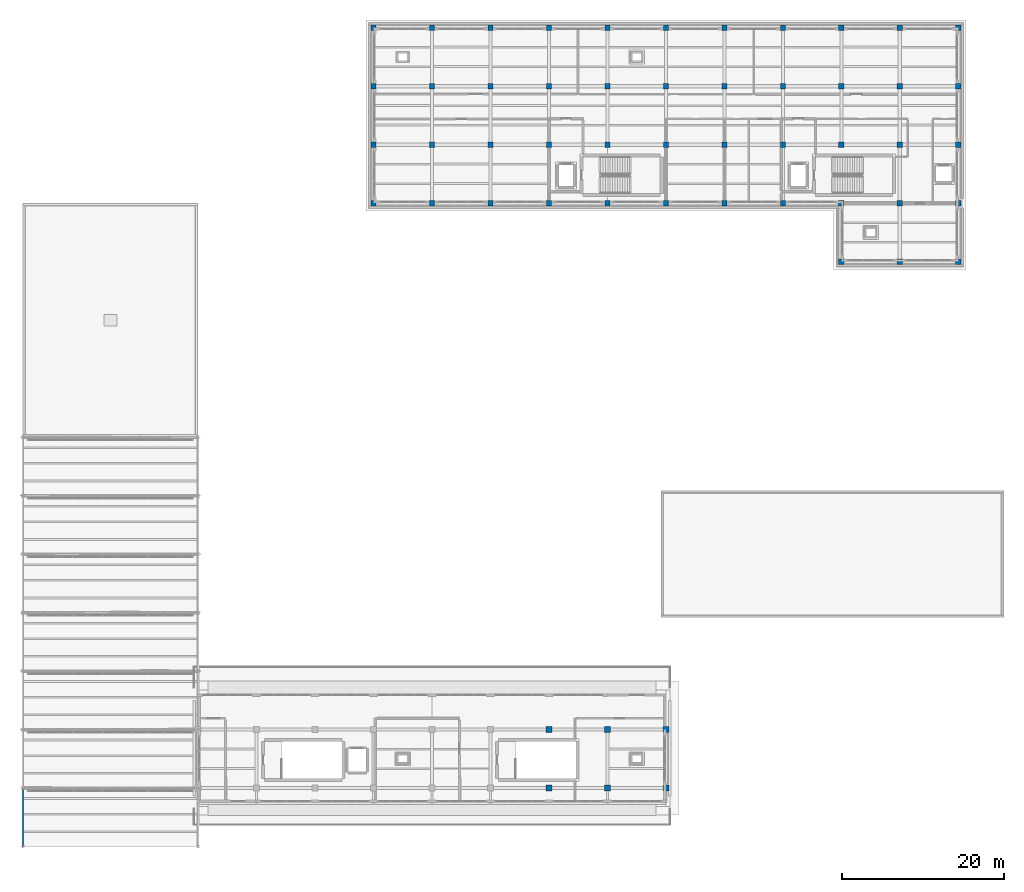
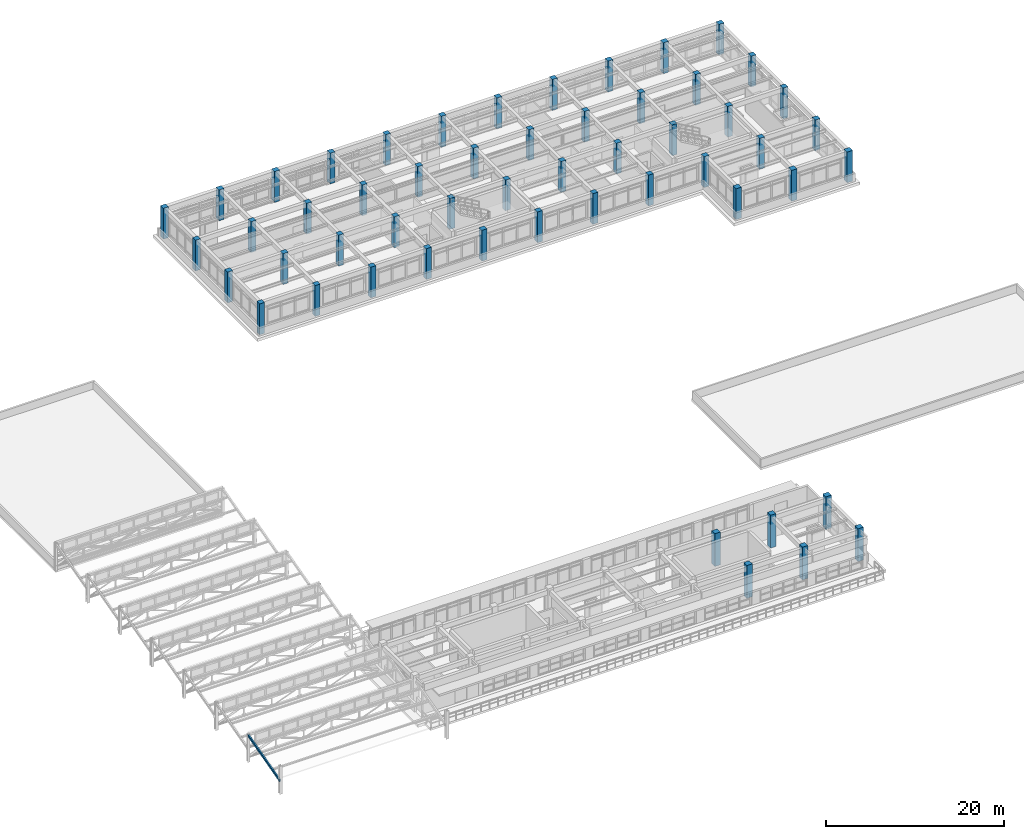
# One storey, part 4 of 55: 53 columns, 1 beam.
"""IFC4 building model written with IfcOpenShell, lengths in metres."""

from ifc_helpers import new_model, si_unit, direction, frame, origin, origin_2d, place, context, subcontext, project, spatial, rectangle, hollow_rectangle, extrude, material, material_profile, profile_set, type_object, element, save


model = new_model("IFC4")

# Units and contexts
model_context = context("Model", 3, precision=1e-05, world=origin(), true_north=direction((0.0, 1.0)))
body_context = subcontext(model_context, "Body", "Model", "MODEL_VIEW")
ifc_project = project(units=[si_unit("LENGTHUNIT", "METRE"), si_unit("AREAUNIT", "SQUARE_METRE"), si_unit("VOLUMEUNIT", "CUBIC_METRE"), si_unit("PLANEANGLEUNIT", "RADIAN"), si_unit("MASSUNIT", "GRAM", prefix="KILO")], contexts=[model_context])

# Site, building, storey
site_placement = place(None, origin())
site = spatial("IfcSite", under=ifc_project, at=site_placement, CompositionType="ELEMENT")
building_placement = place(site_placement, origin())
building = spatial("IfcBuilding", under=site, at=building_placement, Name="Solenvale Faculty of Natural Sciences", CompositionType="ELEMENT")
storey_placement = place(building_placement, frame((0.0, 0.0, 22.5)))
storey = spatial("IfcBuildingStorey", under=building, at=storey_placement, Name="L05", CompositionType="ELEMENT", Elevation=22.5)

# Columns
ifc_material_1 = material(Name="Concrete 40 MPa", Category="concrete")
ifc_material_profile_1 = material_profile(ifc_material_1, rectangle(XDim=0.64990234375, YDim=0.64990234375, at=origin_2d()), Name="RC-COL-650x650")
ifc_profile_set_1 = profile_set([ifc_material_profile_1], Name="Concrete 40 MPa")
column_type_1 = type_object("IfcColumnType", Name="COL-RC-650", PredefinedType="COLUMN", material=ifc_profile_set_1)
for number, where, z_axis, x_axis, name in (
    (1, (79.199951171875, 93.60009765625, 0.0), (0.0, 0.0, 1.0), (1.0, 0.0, 0.0), "L05 Column (79.2, 93.6)"),
    (2, (79.199951171875, 100.800048828125, 0.0), (0.0, 0.0, 1.0), (1.0, 0.0, 0.0), "L05 Column (79.2, 100.8)"),
    (3, (79.199951171875, 108.0, 0.0), (0.0, 0.0, 1.0), (1.0, 0.0, 0.0), "L05 Column (79.2, 108.0)"),
    (4, (79.199951171875, 115.199951171875, 0.0), (0.0, 0.0, 1.0), (1.0, 0.0, 0.0), "L05 Column (79.2, 115.2)"),
    (5, (86.39990234375, 93.60009765625, 0.0), (0.0, 0.0, 1.0), (1.0, 0.0, 0.0), "L05 Column (86.4, 93.6)"),
    (6, (86.39990234375, 100.800048828125, 0.0), (0.0, 0.0, 1.0), (1.0, 0.0, 0.0), "L05 Column (86.4, 100.8)"),
    (7, (86.39990234375, 108.0, 0.0), (0.0, 0.0, 1.0), (1.0, 0.0, 0.0), "L05 Column (86.4, 108.0)"),
    (8, (86.39990234375, 115.199951171875, 0.0), (0.0, 0.0, 1.0), (1.0, 0.0, 0.0), "L05 Column (86.4, 115.2)"),
    (9, (93.60009765625, 93.60009765625, 0.0), (0.0, 0.0, 1.0), (1.0, 0.0, 0.0), "L05 Column (93.6, 93.6)"),
    (10, (93.60009765625, 100.800048828125, 0.0), (0.0, 0.0, 1.0), (1.0, 0.0, 0.0), "L05 Column (93.6, 100.8)"),
    (11, (93.60009765625, 108.0, 0.0), (0.0, 0.0, 1.0), (1.0, 0.0, 0.0), "L05 Column (93.6, 108.0)"),
    (12, (93.60009765625, 115.199951171875, 0.0), (0.0, 0.0, 1.0), (1.0, 0.0, 0.0), "L05 Column (93.6, 115.2)"),
    (13, (100.800048828125, 93.60009765625, 0.0), (0.0, 0.0, 1.0), (1.0, 0.0, 0.0), "L05 Column (100.8, 93.6)"),
    (14, (100.800048828125, 100.800048828125, 0.0), (0.0, 0.0, 1.0), (1.0, 0.0, 0.0), "L05 Column (100.8, 100.8)"),
    (15, (100.800048828125, 108.0, 0.0), (0.0, 0.0, 1.0), (1.0, 0.0, 0.0), "L05 Column (100.8, 108.0)"),
    (16, (100.800048828125, 115.199951171875, 0.0), (0.0, 0.0, 1.0), (1.0, 0.0, 0.0), "L05 Column (100.8, 115.2)"),
    (17, (108.0, 93.60009765625, 0.0), (0.0, 0.0, 1.0), (1.0, 0.0, 0.0), "L05 Column (108.0, 93.6)"),
    (18, (108.0, 100.800048828125, 0.0), (0.0, 0.0, 1.0), (1.0, 0.0, 0.0), "L05 Column (108.0, 100.8)"),
    (19, (108.0, 108.0, 0.0), (0.0, 0.0, 1.0), (1.0, 0.0, 0.0), "L05 Column (108.0, 108.0)"),
    (20, (108.0, 115.199951171875, 0.0), (0.0, 0.0, 1.0), (1.0, 0.0, 0.0), "L05 Column (108.0, 115.2)"),
    (21, (115.199951171875, 93.60009765625, 0.0), (0.0, 0.0, 1.0), (1.0, 0.0, 0.0), "L05 Column (115.2, 93.6)"),
    (22, (115.199951171875, 100.800048828125, 0.0), (0.0, 0.0, 1.0), (1.0, 0.0, 0.0), "L05 Column (115.2, 100.8)"),
    (23, (115.199951171875, 108.0, 0.0), (0.0, 0.0, 1.0), (1.0, 0.0, 0.0), "L05 Column (115.2, 108.0)"),
    (24, (115.199951171875, 115.199951171875, 0.0), (0.0, 0.0, 1.0), (1.0, 0.0, 0.0), "L05 Column (115.2, 115.2)"),
    (25, (122.39990234375, 93.60009765625, 0.0), (0.0, 0.0, 1.0), (1.0, 0.0, 0.0), "L05 Column (122.4, 93.6)"),
    (26, (122.39990234375, 100.800048828125, 0.0), (0.0, 0.0, 1.0), (1.0, 0.0, 0.0), "L05 Column (122.4, 100.8)"),
    (27, (122.39990234375, 108.0, 0.0), (0.0, 0.0, 1.0), (1.0, 0.0, 0.0), "L05 Column (122.4, 108.0)"),
    (28, (122.39990234375, 115.199951171875, 0.0), (0.0, 0.0, 1.0), (1.0, 0.0, 0.0), "L05 Column (122.4, 115.2)"),
    (29, (129.60009765625, 93.60009765625, 0.0), (0.0, 0.0, 1.0), (1.0, 0.0, 0.0), "L05 Column (129.6, 93.6)"),
    (30, (129.60009765625, 100.800048828125, 0.0), (0.0, 0.0, 1.0), (1.0, 0.0, 0.0), "L05 Column (129.6, 100.8)"),
    (31, (129.60009765625, 108.0, 0.0), (0.0, 0.0, 1.0), (1.0, 0.0, 0.0), "L05 Column (129.6, 108.0)"),
    (32, (129.60009765625, 115.199951171875, 0.0), (0.0, 0.0, 1.0), (1.0, 0.0, 0.0), "L05 Column (129.6, 115.2)"),
    (33, (136.800048828125, 93.60009765625, 0.0), (0.0, 0.0, 1.0), (1.0, 0.0, 0.0), "L05 Column (136.8, 93.6)"),
    (34, (136.800048828125, 100.800048828125, 0.0), (0.0, 0.0, 1.0), (1.0, 0.0, 0.0), "L05 Column (136.8, 100.8)"),
    (35, (136.800048828125, 108.0, 0.0), (0.0, 0.0, 1.0), (1.0, 0.0, 0.0), "L05 Column (136.8, 108.0)"),
    (36, (136.800048828125, 115.199951171875, 0.0), (0.0, 0.0, 1.0), (1.0, 0.0, 0.0), "L05 Column (136.8, 115.2)"),
    (37, (144.0, 93.60009765625, 0.0), (0.0, 0.0, 1.0), (1.0, 0.0, 0.0), "L05 Column (144.0, 93.6)"),
    (38, (144.0, 100.800048828125, 0.0), (0.0, 0.0, 1.0), (1.0, 0.0, 0.0), "L05 Column (144.0, 100.8)"),
    (39, (144.0, 108.0, 0.0), (0.0, 0.0, 1.0), (1.0, 0.0, 0.0), "L05 Column (144.0, 108.0)"),
    (40, (144.0, 115.199951171875, 0.0), (0.0, 0.0, 1.0), (1.0, 0.0, 0.0), "L05 Column (144.0, 115.2)"),
    (41, (151.199951171875, 93.60009765625, 0.0), (0.0, 0.0, 1.0), (1.0, 0.0, 0.0), "L05 Column (151.2, 93.6)"),
    (42, (151.199951171875, 100.800048828125, 0.0), (0.0, 0.0, 1.0), (1.0, 0.0, 0.0), "L05 Column (151.2, 100.8)"),
    (43, (151.199951171875, 108.0, 0.0), (0.0, 0.0, 1.0), (1.0, 0.0, 0.0), "L05 Column (151.2, 108.0)"),
    (44, (151.199951171875, 115.199951171875, 0.0), (0.0, 0.0, 1.0), (1.0, 0.0, 0.0), "L05 Column (151.2, 115.2)"),
):
    element("IfcColumn", number, at=place(storey_placement, frame(where, z_axis=z_axis, x_axis=x_axis)), inside=storey, type_object=column_type_1, Name=name, PredefinedType="COLUMN", context=body_context, shape_type="SweptSolid", body=[
        extrude(rectangle(XDim=0.64990234375, YDim=0.64990234375, at=origin_2d()), origin(), (0.0, 0.0, 1.0), 4.219970703125),
    ])
ifc_material_profile_2 = material_profile(ifc_material_1, rectangle(XDim=0.699951171875, YDim=0.699951171875, at=origin_2d()), Name="RC-COL-700x700")
ifc_profile_set_2 = profile_set([ifc_material_profile_2], Name="Concrete 40 MPa")
column_type_2 = type_object("IfcColumnType", Name="COL-RC-700", PredefinedType="COLUMN", material=ifc_profile_set_2)
for number, where, z_axis, x_axis, name in (
    (45, (100.800048828125, 21.60009765625, 0.0), (0.0, 0.0, 1.0), (1.0, 0.0, 0.0), "L05 Column (100.8, 21.6)"),
    (46, (100.800048828125, 28.800048828125, 0.0), (0.0, 0.0, 1.0), (1.0, 0.0, 0.0), "L05 Column (100.8, 28.8)"),
    (47, (108.0, 21.60009765625, 0.0), (0.0, 0.0, 1.0), (1.0, 0.0, 0.0), "L05 Column (108.0, 21.6)"),
    (48, (108.0, 28.800048828125, 0.0), (0.0, 0.0, 1.0), (1.0, 0.0, 0.0), "L05 Column (108.0, 28.8)"),
    (49, (115.199951171875, 21.60009765625, 0.0), (0.0, 0.0, 1.0), (1.0, 0.0, 0.0), "L05 Column (115.2, 21.6)"),
    (50, (115.199951171875, 28.800048828125, 0.0), (0.0, 0.0, 1.0), (1.0, 0.0, 0.0), "L05 Column (115.2, 28.8)"),
):
    element("IfcColumn", number, at=place(storey_placement, frame(where, z_axis=z_axis, x_axis=x_axis)), inside=storey, type_object=column_type_2, Name=name, PredefinedType="COLUMN", context=body_context, shape_type="SweptSolid", body=[
        extrude(rectangle(XDim=0.699951171875, YDim=0.699951171875, at=origin_2d()), origin(), (0.0, 0.0, 1.0), 4.5),
    ])
for number, where, z_axis, x_axis, name in (
    (51, (136.800048828125, 86.39990234375, 0.0), (0.0, 0.0, 1.0), (1.0, 0.0, 0.0), "L05 Column (136.8, 86.4)"),
    (52, (144.0, 86.39990234375, 0.0), (0.0, 0.0, 1.0), (1.0, 0.0, 0.0), "L05 Column (144.0, 86.4)"),
    (53, (151.199951171875, 86.39990234375, 0.0), (0.0, 0.0, 1.0), (1.0, 0.0, 0.0), "L05 Column (151.2, 86.4)"),
):
    element("IfcColumn", number, at=place(storey_placement, frame(where, z_axis=z_axis, x_axis=x_axis)), inside=storey, type_object=column_type_2, Name=name, PredefinedType="COLUMN", context=body_context, shape_type="SweptSolid", body=[
        extrude(rectangle(XDim=0.699951171875, YDim=0.699951171875, at=origin_2d()), origin(), (0.0, 0.0, 1.0), 4.219970703125),
    ])

# Beam
ifc_material_2 = material(Name="Steel S355", Category="steel")
ifc_material_profile_3 = material_profile(ifc_material_2, hollow_rectangle(XDim=0.202880859375, YDim=0.304931640625, WallThickness=0.0126953125, InnerFilletRadius=0.0126953125, OuterFilletRadius=0.025390625, at=origin_2d()), Name="HSS305x203x13")
ifc_profile_set_3 = profile_set([ifc_material_profile_3], Name="Steel S355")
beam_type = type_object("IfcBeamType", Name="BM-RAF-HSS305", PredefinedType="BEAM", material=ifc_profile_set_3)
beam_placement = place(storey_placement, frame((36.0, 14.39990234375, 1.719970703125), z_axis=(0.0, 0.965904187204, 0.258899789768), x_axis=(-1.0, 0.0, 0.0)))
element("IfcBeam", 54, at=beam_placement, inside=storey, type_object=beam_type, Name="V3 Sawtooth End Rafter 1.1.W", PredefinedType="BEAM", context=body_context, shape_type="SweptSolid", body=[
    extrude(hollow_rectangle(XDim=0.202880859375, YDim=0.304931640625, WallThickness=0.0126953125, InnerFilletRadius=0.0126953125, OuterFilletRadius=0.025390625, at=origin_2d()), origin(), (0.0, 0.0, 1.0), 7.454345703125),
])

save(model, "model.ifc")
